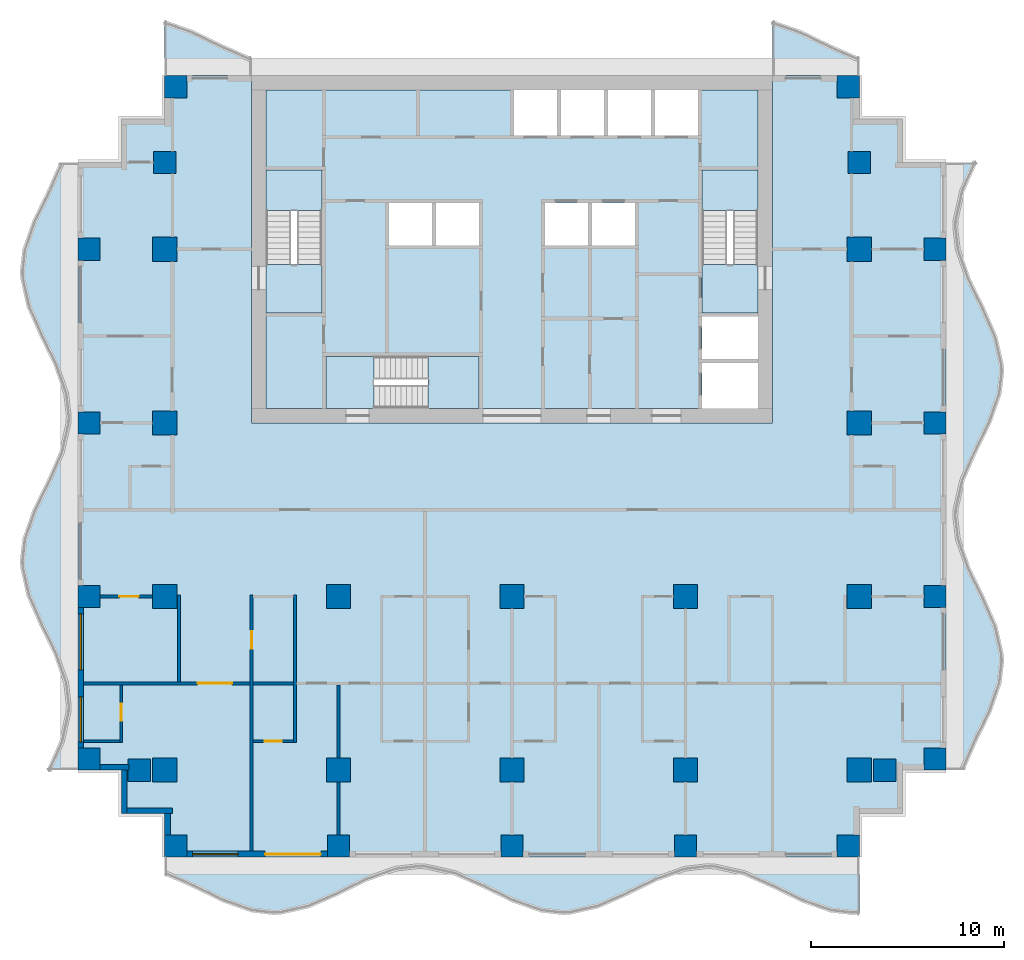
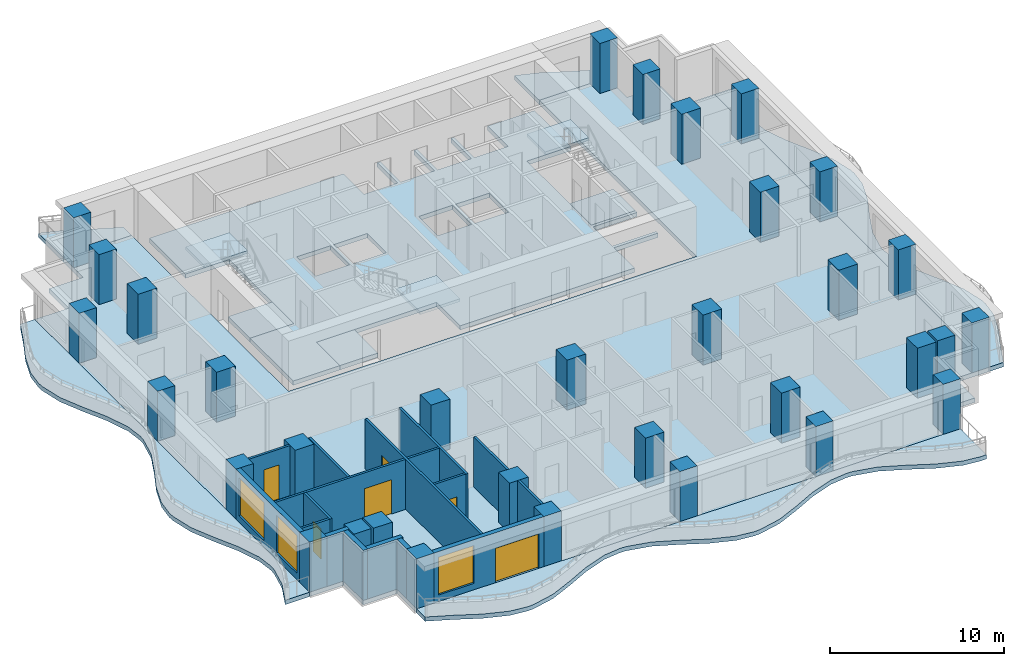
# One storey, part 1 of 10: 33 columns, 17 walls, 13 slabs, 6 doors, 3 windows, 9 openings, 3 elements without a shape of their own.
"""IFC4 building model written with IfcOpenShell, lengths in metres."""

from ifc_helpers import new_model, si_unit, direction, frame, frame_2d, origin, origin_2d, place, context, subcontext, project, spatial, polyline, rectangle, outline, extrude, material, layer, layer_set, material_profile, profile_set, type_object, element, fill, aggregate, save


model = new_model("IFC4")

# Units and contexts
model_context = context("Model", 3, precision=1e-05, world=origin(), true_north=direction((0.0, 1.0)))
body_context = subcontext(model_context, "Body", "Model", "MODEL_VIEW")
ifc_project = project(units=[si_unit("LENGTHUNIT", "METRE"), si_unit("AREAUNIT", "SQUARE_METRE"), si_unit("VOLUMEUNIT", "CUBIC_METRE"), si_unit("PLANEANGLEUNIT", "RADIAN"), si_unit("MASSUNIT", "GRAM", prefix="KILO")], contexts=[model_context])

# Site, building, storey
site_placement = place(None, origin())
site = spatial("IfcSite", under=ifc_project, at=site_placement, CompositionType="ELEMENT")
building_placement = place(site_placement, origin())
building = spatial("IfcBuilding", under=site, at=building_placement, Name="Orbiselva Terraces", CompositionType="ELEMENT")
storey_placement = place(building_placement, frame((0.0, 0.0, 140.2)))
storey = spatial("IfcBuildingStorey", under=building, at=storey_placement, Name="L35", CompositionType="ELEMENT", Elevation=140.2)

# Columns
ifc_material_1 = material(Name="Concrete C60/75", Category="concrete")
ifc_material_profile_1 = material_profile(ifc_material_1, rectangle(XDim=1.25, YDim=1.25, at=origin_2d()), Name="RC 1250x1250")
ifc_profile_set_1 = profile_set([ifc_material_profile_1], Name="Concrete C60/75")
column_type_1 = type_object("IfcColumnType", Name="COLUMN RC 1250x1250", PredefinedType="COLUMN", material=ifc_profile_set_1)
for number, where, z_axis, x_axis, name in (
    (1, (-18.0, -13.5, 0.0), (0.0, 0.0, 1.0), (1.0, 0.0, 0.0), "Column L35-01"),
    (2, (-18.0, -4.5, 0.0), (0.0, 0.0, 1.0), (1.0, 0.0, 0.0), "Column L35-03"),
    (3, (-18.0, 13.5, 0.0), (0.0, 0.0, 1.0), (1.0, 0.0, 0.0), "Column L35-04"),
    (4, (-18.0, 4.5, 0.0), (0.0, 0.0, 1.0), (1.0, 0.0, 0.0), "Column L35-06"),
    (5, (-9.0, -13.5, 0.0), (0.0, 0.0, 1.0), (1.0, 0.0, 0.0), "Column L35-13"),
    (6, (-9.0, -4.5, 0.0), (0.0, 0.0, 1.0), (1.0, 0.0, 0.0), "Column L35-15"),
    (7, (0.0, -13.5, 0.0), (0.0, 0.0, 1.0), (1.0, 0.0, 0.0), "Column L35-16"),
    (8, (0.0, -4.5, 0.0), (0.0, 0.0, 1.0), (1.0, 0.0, 0.0), "Column L35-18"),
    (9, (18.0, -13.5, 0.0), (0.0, 0.0, 1.0), (1.0, 0.0, 0.0), "Column L35-19"),
    (10, (18.0, -4.5, 0.0), (0.0, 0.0, 1.0), (1.0, 0.0, 0.0), "Column L35-21"),
    (11, (18.0, 13.5, 0.0), (0.0, 0.0, 1.0), (1.0, 0.0, 0.0), "Column L35-22"),
    (12, (18.0, 4.5, 0.0), (0.0, 0.0, 1.0), (1.0, 0.0, 0.0), "Column L35-24"),
    (13, (9.0, -13.5, 0.0), (0.0, 0.0, 1.0), (1.0, 0.0, 0.0), "Column L35-31"),
    (14, (9.0, -4.5, 0.0), (0.0, 0.0, 1.0), (1.0, 0.0, 0.0), "Column L35-33"),
):
    element("IfcColumn", number, at=place(storey_placement, frame(where, z_axis=z_axis, x_axis=x_axis)), inside=storey, type_object=column_type_1, Name=name, PredefinedType="COLUMN", context=body_context, shape_type="SweptSolid", body=[
        extrude(rectangle(XDim=1.25, YDim=1.25, at=origin_2d()), origin(), (0.0, 0.0, 1.0), 3.5),
    ])
ifc_material_profile_2 = material_profile(ifc_material_1, rectangle(XDim=1.15, YDim=1.15, at=origin_2d()), Name="RC 1150x1150")
ifc_profile_set_2 = profile_set([ifc_material_profile_2], Name="Concrete C60/75")
column_type_2 = type_object("IfcColumnType", Name="PERIMETER COLUMN RC 1150x1150", PredefinedType="COLUMN", material=ifc_profile_set_2)
for number, where, z_axis, x_axis, name in (
    (15, (-17.425, -17.425, 0.0), (0.0, 0.0, 1.0), (1.0, 0.0, 0.0), "Column L35-02"),
    (16, (-17.425, 21.925, 0.0), (0.0, 0.0, 1.0), (1.0, 0.0, 0.0), "Column L35-05"),
    (17, (-21.925, -12.925, 0.0), (0.0, 0.0, 1.0), (1.0, 0.0, 0.0), "Column L35-07"),
    (18, (-19.32, -13.5, 0.0), (0.0, 0.0, 1.0), (1.0, 0.0, 0.0), "Column L35-08"),
    (19, (-21.925, -4.5, 0.0), (0.0, 0.0, 1.0), (1.0, 0.0, 0.0), "Column L35-09"),
    (20, (-21.925, 13.5, 0.0), (0.0, 0.0, 1.0), (1.0, 0.0, 0.0), "Column L35-10"),
    (21, (-18.0, 18.0, 0.0), (0.0, 0.0, 1.0), (1.0, 0.0, 0.0), "Column L35-11"),
    (22, (-21.925, 4.5, 0.0), (0.0, 0.0, 1.0), (1.0, 0.0, 0.0), "Column L35-12"),
    (23, (-9.0, -17.425, 0.0), (0.0, 0.0, 1.0), (1.0, 0.0, 0.0), "Column L35-14"),
    (24, (0.0, -17.425, 0.0), (0.0, 0.0, 1.0), (1.0, 0.0, 0.0), "Column L35-17"),
    (25, (17.425, -17.425, 0.0), (0.0, 0.0, 1.0), (1.0, 0.0, 0.0), "Column L35-20"),
    (26, (17.425, 21.925, 0.0), (0.0, 0.0, 1.0), (1.0, 0.0, 0.0), "Column L35-23"),
    (27, (21.925, -12.925, 0.0), (0.0, 0.0, 1.0), (1.0, 0.0, 0.0), "Column L35-25"),
    (28, (19.32, -13.5, 0.0), (0.0, 0.0, 1.0), (1.0, 0.0, 0.0), "Column L35-26"),
    (29, (21.925, -4.5, 0.0), (0.0, 0.0, 1.0), (1.0, 0.0, 0.0), "Column L35-27"),
    (30, (21.925, 13.5, 0.0), (0.0, 0.0, 1.0), (1.0, 0.0, 0.0), "Column L35-28"),
    (31, (18.0, 18.0, 0.0), (0.0, 0.0, 1.0), (1.0, 0.0, 0.0), "Column L35-29"),
    (32, (21.925, 4.5, 0.0), (0.0, 0.0, 1.0), (1.0, 0.0, 0.0), "Column L35-30"),
    (33, (9.0, -17.425, 0.0), (0.0, 0.0, 1.0), (1.0, 0.0, 0.0), "Column L35-32"),
):
    element("IfcColumn", number, at=place(storey_placement, frame(where, z_axis=z_axis, x_axis=x_axis)), inside=storey, type_object=column_type_2, Name=name, PredefinedType="COLUMN", context=body_context, shape_type="SweptSolid", body=[
        extrude(rectangle(XDim=1.15, YDim=1.15, at=origin_2d()), origin(), (0.0, 0.0, 1.0), 3.5),
    ])

# Slabs
ifc_material_2 = material(Name="Concrete C40/50", Category="concrete")
ifc_layer_1 = layer(ifc_material_2, 0.3)
ifc_layer_set_1 = layer_set([ifc_layer_1], Name="Concrete C40/50")
slab_type_1 = type_object("IfcSlabType", Name="CORE-SLAB-FLOOR-300", PredefinedType="FLOOR", material=ifc_layer_set_1)
slab_1_placement = place(storey_placement, frame((0.0, 0.0, -0.3)))
element("IfcSlab", 34, at=slab_1_placement, inside=storey, type_object=slab_type_1, Name="L35 S1 floor landing", PredefinedType="FLOOR", context=body_context, shape_type="SweptSolid", body=[
    extrude(outline(polyline([(-12.75, 12.7), (-9.85, 12.7), (-9.85, 10.2), (-12.75, 10.2), (-12.75, 12.7)])), origin(), (0.0, 0.0, 1.0), 0.3),
])
slab_2_placement = place(storey_placement, frame((0.0, 0.0, -0.3)))
element("IfcSlab", 35, at=slab_2_placement, inside=storey, type_object=slab_type_1, Name="L35 S2 floor landing", PredefinedType="FLOOR", context=body_context, shape_type="SweptSolid", body=[
    extrude(outline(polyline([(12.75, 12.7), (12.75, 10.2), (9.85, 10.2), (9.85, 12.7), (12.75, 12.7)])), origin(), (0.0, 0.0, 1.0), 0.3),
])
slab_3_placement = place(storey_placement, frame((0.0, 0.0, -0.3)))
element("IfcSlab", 36, at=slab_3_placement, inside=storey, type_object=slab_type_1, Name="L35 S3 floor landing", PredefinedType="FLOOR", context=body_context, shape_type="SweptSolid", body=[
    extrude(outline(polyline([(-7.15, 5.25), (-9.65, 5.25), (-9.65, 7.95), (-7.15, 7.95), (-7.15, 5.25)])), origin(), (0.0, 0.0, 1.0), 0.3),
])
slab_4_placement = place(storey_placement, frame((0.0, 0.0, -0.3)))
element("IfcSlab", 37, at=slab_4_placement, inside=storey, type_object=slab_type_1, Name="L35 core floor slab 1", PredefinedType="FLOOR", context=body_context, shape_type="SweptSolid", body=[
    extrude(outline(polyline([(-1.7, 5.25), (-1.7, 7.95), (-9.65, 7.95), (-9.65, 5.25), (-12.75, 5.25), (-12.75, 10.2), (-9.85, 10.2), (-9.85, 17.6), (-12.75, 17.6), (-12.75, 21.75), (0.1, 21.75), (0.1, 19.4), (2.3375, 19.4), (2.3375, 21.75), (2.5375, 21.75), (2.5375, 19.4), (4.775, 19.4), (4.775, 21.75), (4.975, 21.75), (4.975, 19.4), (7.2125, 19.4), (7.2125, 21.75), (7.4125, 21.75), (7.4125, 19.4), (9.65, 19.4), (9.65, 21.75), (12.75, 21.75), (12.75, 17.6), (9.85, 17.6), (9.85, 10.2), (12.75, 10.2), (12.75, 10.0), (9.85, 10.0), (9.85, 7.8), (12.75, 7.8), (12.75, 7.6), (9.85, 7.6), (9.85, 5.25), (-1.7, 5.25)]), holes=[polyline([(-4.1375, 13.7), (-4.1375, 15.9), (-6.375, 15.9), (-6.375, 13.7), (-4.1375, 13.7)]), polyline([(-1.7, 13.7), (-1.7, 15.9), (-3.9375, 15.9), (-3.9375, 13.7), (-1.7, 13.7)]), polyline([(3.9375, 15.9), (1.7, 15.9), (1.7, 13.7), (3.9375, 13.7), (3.9375, 15.9)]), polyline([(6.375, 13.7), (6.375, 15.9), (4.1375, 15.9), (4.1375, 13.7), (6.375, 13.7)])]), origin(), (0.0, 0.0, 1.0), 0.3),
])

# Stair, slab
stair_type_1 = type_object("IfcStairType", Name="CORE-STAIR-1300", PredefinedType="HALF_TURN_STAIR", material=ifc_material_2)
stair_1_placement = place(storey_placement, origin())
stair_1 = element("IfcStair", 38, at=stair_1_placement, inside=storey, type_object=stair_type_1, Name="L35 Exit Stair S1", PredefinedType="HALF_TURN_STAIR")
ifc_layer_2 = layer(ifc_material_2, 0.2)
ifc_layer_set_2 = layer_set([ifc_layer_2], Name="Concrete C40/50")
slab_type_2 = type_object("IfcSlabType", Name="CORE-STAIR-LANDING-200", PredefinedType="LANDING", material=ifc_layer_set_2)
slab_5_placement = place(storey_placement, frame((0.0, 0.0, 1.7)))
slab_5 = element("IfcSlab", 39, at=slab_5_placement, type_object=slab_type_2, Name="S1 landing 1", PredefinedType="LANDING", context=body_context, shape_type="SweptSolid", body=[
    extrude(outline(polyline([(-9.85, 15.5), (-9.85, 17.6), (-12.75, 17.6), (-12.75, 15.5), (-9.85, 15.5)])), origin(), (0.0, 0.0, 1.0), 0.2),
])
aggregate(stair_1, [slab_5])

stair_2_placement = place(storey_placement, origin())
stair_2 = element("IfcStair", 40, at=stair_2_placement, inside=storey, type_object=stair_type_1, Name="L35 Exit Stair S2", PredefinedType="HALF_TURN_STAIR")
slab_6_placement = place(storey_placement, frame((0.0, 0.0, 1.7)))
slab_6 = element("IfcSlab", 41, at=slab_6_placement, type_object=slab_type_2, Name="S2 landing 1", PredefinedType="LANDING", context=body_context, shape_type="SweptSolid", body=[
    extrude(outline(polyline([(12.75, 15.5), (12.75, 17.6), (9.85, 17.6), (9.85, 15.5), (12.75, 15.5)])), origin(), (0.0, 0.0, 1.0), 0.2),
])
aggregate(stair_2, [slab_6])

stair_type_2 = type_object("IfcStairType", Name="CORE-STAIR-1200", PredefinedType="HALF_TURN_STAIR", material=ifc_material_2)
stair_3_placement = place(storey_placement, origin())
stair_3 = element("IfcStair", 42, at=stair_3_placement, inside=storey, type_object=stair_type_2, Name="L35 Exit Stair S3", PredefinedType="HALF_TURN_STAIR")
slab_7_placement = place(storey_placement, frame((0.0, 0.0, 1.7)))
slab_7 = element("IfcSlab", 43, at=slab_7_placement, type_object=slab_type_2, Name="S3 landing 1", PredefinedType="LANDING", context=body_context, shape_type="SweptSolid", body=[
    extrude(outline(polyline([(-4.35, 5.25), (-1.7, 5.25), (-1.7, 7.95), (-4.35, 7.95), (-4.35, 5.25)])), origin(), (0.0, 0.0, 1.0), 0.2),
])
aggregate(stair_3, [slab_7])

# Slabs
ifc_material_3 = material(Name="Concrete C50/60", Category="concrete")
ifc_layer_3 = layer(ifc_material_3, 0.3)
ifc_layer_set_3 = layer_set([ifc_layer_3], Name="Concrete C50/60")
slab_type_3 = type_object("IfcSlabType", Name="ENV-BALCONY-SLAB-300", PredefinedType="FLOOR", material=ifc_layer_set_3)
slab_8_placement = place(storey_placement, frame((0.0, 0.0, -0.3)))
element("IfcSlab", 44, at=slab_8_placement, inside=storey, type_object=slab_type_3, Name="Balcony slab L35 S", PredefinedType="FLOOR", context=body_context, shape_type="SweptSolid", body=[
    extrude(outline(polyline([(-18.0, -18.951472), (-16.5, -19.612279), (-15.0, -20.344789), (-13.5, -20.869208), (-12.375, -21.0), (-12.0, -20.985226), (-10.5, -20.648528), (-9.0, -19.987721), (-7.5, -19.255211), (-6.0, -18.730792), (-4.875, -18.6), (-4.5, -18.614774), (-3.0, -18.951472), (-1.5, -19.612279), (0.0, -20.344789), (1.5, -20.869208), (2.625, -21.0), (3.0, -20.985226), (4.5, -20.648528), (6.0, -19.987721), (7.5, -19.255211), (9.0, -18.730792), (10.125, -18.6), (10.5, -18.614774), (12.0, -18.951472), (13.5, -19.612279), (15.0, -20.344789), (16.5, -20.869208), (17.625, -21.0), (18.0, -20.985226), (18.0, -18.0), (-18.0, -18.0), (-18.0, -18.951472)])), origin(), (0.0, 0.0, 1.0), 0.3),
])
slab_9_placement = place(storey_placement, frame((0.0, 0.0, -0.3)))
element("IfcSlab", 45, at=slab_9_placement, inside=storey, type_object=slab_type_3, Name="Balcony slab L35 E", PredefinedType="FLOOR", context=body_context, shape_type="SweptSolid", body=[
    extrude(outline(polyline([(23.451472, -13.5), (24.112279, -12.0), (24.844789, -10.5), (25.369208, -9.0), (25.5, -7.875), (25.485226, -7.5), (25.148528, -6.0), (24.487721, -4.5), (23.755211, -3.0), (23.230792, -1.5), (23.1, -0.375), (23.114774, 0.0), (23.451472, 1.5), (24.112279, 3.0), (24.844789, 4.5), (25.369208, 6.0), (25.5, 7.125), (25.485226, 7.5), (25.148528, 9.0), (24.487721, 10.5), (23.755211, 12.0), (23.230792, 13.5), (23.1, 14.625), (23.114774, 15.0), (23.451472, 16.5), (24.112279, 18.0), (22.5, 18.0), (22.5, -13.5), (23.451472, -13.5)])), origin(), (0.0, 0.0, 1.0), 0.3),
])
slab_10_placement = place(storey_placement, frame((0.0, 0.0, -0.3)))
element("IfcSlab", 46, at=slab_10_placement, inside=storey, type_object=slab_type_3, Name="Balcony slab L35 NE", PredefinedType="FLOOR", context=body_context, shape_type="SweptSolid", body=[
    extrude(outline(polyline([(18.0, 23.451472), (16.5, 24.112279), (15.0, 24.844789), (13.5, 25.369208), (13.5, 22.5), (18.0, 22.5), (18.0, 23.451472)])), origin(), (0.0, 0.0, 1.0), 0.3),
])
slab_11_placement = place(storey_placement, frame((0.0, 0.0, -0.3)))
element("IfcSlab", 47, at=slab_11_placement, inside=storey, type_object=slab_type_3, Name="Balcony slab L35 NW", PredefinedType="FLOOR", context=body_context, shape_type="SweptSolid", body=[
    extrude(outline(polyline([(-13.5, 23.451472), (-15.0, 24.112279), (-16.5, 24.844789), (-18.0, 25.369208), (-18.0, 22.5), (-13.5, 22.5), (-13.5, 23.451472)])), origin(), (0.0, 0.0, 1.0), 0.3),
])
slab_12_placement = place(storey_placement, frame((0.0, 0.0, -0.3)))
element("IfcSlab", 48, at=slab_12_placement, inside=storey, type_object=slab_type_3, Name="Balcony slab L35 W", PredefinedType="FLOOR", context=body_context, shape_type="SweptSolid", body=[
    extrude(outline(polyline([(-23.451472, 18.0), (-24.112279, 16.5), (-24.844789, 15.0), (-25.369208, 13.5), (-25.5, 12.375), (-25.485226, 12.0), (-25.148528, 10.5), (-24.487721, 9.0), (-23.755211, 7.5), (-23.230792, 6.0), (-23.1, 4.875), (-23.114774, 4.5), (-23.451472, 3.0), (-24.112279, 1.5), (-24.844789, 0.0), (-25.369208, -1.5), (-25.5, -2.625), (-25.485226, -3.0), (-25.148528, -4.5), (-24.487721, -6.0), (-23.755211, -7.5), (-23.230792, -9.0), (-23.1, -10.125), (-23.114774, -10.5), (-23.451472, -12.0), (-24.112279, -13.5), (-22.5, -13.5), (-22.5, 18.0), (-23.451472, 18.0)])), origin(), (0.0, 0.0, 1.0), 0.3),
])
ifc_layer_4 = layer(ifc_material_3, 0.3)
ifc_layer_set_4 = layer_set([ifc_layer_4], Name="Concrete C50/60")
slab_type_4 = type_object("IfcSlabType", Name="FLOOR SLAB 300", PredefinedType="FLOOR", material=ifc_layer_set_4)
slab_13_placement = place(storey_placement, frame((0.0, 0.0, -0.3)))
element("IfcSlab", 49, at=slab_13_placement, inside=storey, type_object=slab_type_4, Name="Floor slab L35", PredefinedType="FLOOR", context=body_context, shape_type="SweptSolid", body=[
    extrude(outline(polyline([(18.0, 22.5), (18.0, 20.25), (20.25, 20.25), (20.25, 18.0), (22.5, 18.0), (22.5, -13.5), (20.25, -13.5), (20.25, -15.75), (18.0, -15.75), (18.0, -18.0), (-18.0, -18.0), (-18.0, -15.75), (-20.25, -15.75), (-20.25, -13.5), (-22.5, -13.5), (-22.5, 18.0), (-20.25, 18.0), (-20.25, 20.25), (-18.0, 20.25), (-18.0, 22.5), (-13.5, 22.5), (-13.5, 4.5), (13.5, 4.5), (13.5, 22.5), (18.0, 22.5)])), origin(), (0.0, 0.0, 1.0), 0.3),
])

# Wall, openings, door, window
ifc_material_4 = material(Name="Terracotta cladding on masonry backing", Category="masonry")
ifc_layer_5 = layer(ifc_material_4, 0.3)
ifc_layer_set_5 = layer_set([ifc_layer_5], Name="Terracotta cladding on masonry backing")
wall_type_1 = type_object("IfcWallType", Name="ENV-WALL-TERRACOTTA-300", PredefinedType="SOLIDWALL", material=ifc_layer_set_5)
wall_1_placement = place(storey_placement, frame((-9.575, -17.85, 0.0), z_axis=(0.0, 0.0, 1.0), x_axis=(-1.0, 0.0, 0.0)))
wall_1 = element("IfcWall", 50, at=wall_1_placement, inside=storey, type_object=wall_type_1, Name="Facade wall L35 S", PredefinedType="SOLIDWALL", context=body_context, shape_type="SweptSolid", body=[
    extrude(rectangle(XDim=7.275, YDim=0.3, at=frame_2d((3.6375, 0.0))), origin(), (0.0, 0.0, 1.0), 3.5),
])
opening_1_placement = place(wall_1_placement, frame((4.625, 0.0, 0.45)))
opening_1 = element("IfcOpeningElement", 51, at=opening_1_placement, cuts=wall_1, Name="Opening WN10", PredefinedType="OPENING", context=body_context, shape_type="SweptSolid", body=[
    extrude(rectangle(XDim=2.35, YDim=2.65, at=frame_2d((1.175, 1.325))), frame((0.0, 0.16, 0.0), z_axis=(0.0, -1.0, 0.0), x_axis=(1.0, 0.0, 0.0)), (0.0, 0.0, 1.0), 0.32),
])
opening_2_placement = place(wall_1_placement, frame((0.325, 0.0, 0.0)))
opening_2 = element("IfcOpeningElement", 52, at=opening_2_placement, cuts=wall_1, Name="Opening Z3-B-E01", PredefinedType="OPENING", context=body_context, shape_type="SweptSolid", body=[
    extrude(rectangle(XDim=2.9, YDim=2.4, at=frame_2d((1.45, 1.2))), frame((0.0, 0.16, 0.0), z_axis=(0.0, -1.0, 0.0), x_axis=(1.0, 0.0, 0.0)), (0.0, 0.0, 1.0), 0.32),
])
ifc_material_5 = material(Name="Clear low-e glazing in aluminium frame", Category="aluminium")
door_type_1 = type_object("IfcDoorType", Name="BALCONY DOOR 2900 X 2400", OperationType="DOUBLE_DOOR_SLIDING", PredefinedType="DOOR", material=ifc_material_5)
door_1_placement = place(opening_2_placement, origin())
door_1 = element("IfcDoor", 53, at=door_1_placement, inside=storey, type_object=door_type_1, Name="Z3-B-E01", OperationType="SINGLE_SWING_LEFT", OverallHeight=2.4, OverallWidth=2.9, PredefinedType="DOOR", context=body_context, shape_type="SweptSolid", body=[
    extrude(rectangle(XDim=2.9, YDim=2.4, at=frame_2d((1.45, 1.2))), frame((0.0, 0.025, 0.0), z_axis=(0.0, -1.0, 0.0), x_axis=(1.0, 0.0, 0.0)), (0.0, 0.0, 1.0), 0.05),
])
fill(opening_2, door_1)
window_type_1 = type_object("IfcWindowType", Name="WINDOW 2350 X 2650 S450", PartitioningType="TRIPLE_PANEL_VERTICAL", PredefinedType="WINDOW", material=ifc_material_5)
window_1_placement = place(opening_1_placement, origin())
window_1 = element("IfcWindow", 54, at=window_1_placement, inside=storey, type_object=window_type_1, Name="Window L35 S", OverallHeight=2.65, OverallWidth=2.35, PartitioningType="SINGLE_PANEL", PredefinedType="WINDOW", context=body_context, shape_type="SweptSolid", body=[
    extrude(rectangle(XDim=2.35, YDim=2.65, at=frame_2d((1.175, 1.325))), frame((0.0, 0.03, 0.0), z_axis=(0.0, -1.0, 0.0), x_axis=(1.0, 0.0, 0.0)), (0.0, 0.0, 1.0), 0.06),
])
fill(opening_1, window_1)

# Wall, openings, windows
wall_2_placement = place(storey_placement, frame((-22.35, -12.35, 0.0), z_axis=(0.0, 0.0, 1.0), x_axis=(0.0, 1.0, 0.0)))
wall_2 = element("IfcWall", 55, at=wall_2_placement, inside=storey, type_object=wall_type_1, Name="Facade wall L35 W", PredefinedType="SOLIDWALL", context=body_context, shape_type="SweptSolid", body=[
    extrude(rectangle(XDim=7.275, YDim=0.3, at=frame_2d((3.6375, 0.0))), origin(), (0.0, 0.0, 1.0), 3.5),
])
opening_3_placement = place(wall_2_placement, frame((4.05, 0.0, 0.45)))
opening_3 = element("IfcOpeningElement", 56, at=opening_3_placement, cuts=wall_2, Name="Opening WN8", PredefinedType="OPENING", context=body_context, shape_type="SweptSolid", body=[
    extrude(rectangle(XDim=2.9, YDim=2.65, at=frame_2d((1.45, 1.325))), frame((0.0, 0.16, 0.0), z_axis=(0.0, -1.0, 0.0), x_axis=(1.0, 0.0, 0.0)), (0.0, 0.0, 1.0), 0.32),
])
opening_4_placement = place(wall_2_placement, frame((0.3, 0.0, 0.45)))
opening_4 = element("IfcOpeningElement", 57, at=opening_4_placement, cuts=wall_2, Name="Opening WN10", PredefinedType="OPENING", context=body_context, shape_type="SweptSolid", body=[
    extrude(rectangle(XDim=2.35, YDim=2.65, at=frame_2d((1.175, 1.325))), frame((0.0, 0.16, 0.0), z_axis=(0.0, -1.0, 0.0), x_axis=(1.0, 0.0, 0.0)), (0.0, 0.0, 1.0), 0.32),
])
window_2_placement = place(opening_4_placement, origin())
window_2 = element("IfcWindow", 58, at=window_2_placement, inside=storey, type_object=window_type_1, Name="Window L35 W", OverallHeight=2.65, OverallWidth=2.35, PartitioningType="SINGLE_PANEL", PredefinedType="WINDOW", context=body_context, shape_type="SweptSolid", body=[
    extrude(rectangle(XDim=2.35, YDim=2.65, at=frame_2d((1.175, 1.325))), frame((0.0, 0.03, 0.0), z_axis=(0.0, -1.0, 0.0), x_axis=(1.0, 0.0, 0.0)), (0.0, 0.0, 1.0), 0.06),
])
fill(opening_4, window_2)
window_type_2 = type_object("IfcWindowType", Name="WINDOW 2900 X 2650 S450", PartitioningType="TRIPLE_PANEL_VERTICAL", PredefinedType="WINDOW", material=ifc_material_5)
window_3_placement = place(opening_3_placement, origin())
window_3 = element("IfcWindow", 59, at=window_3_placement, inside=storey, type_object=window_type_2, Name="Window L35 W", OverallHeight=2.65, OverallWidth=2.9, PartitioningType="SINGLE_PANEL", PredefinedType="WINDOW", context=body_context, shape_type="SweptSolid", body=[
    extrude(rectangle(XDim=2.9, YDim=2.65, at=frame_2d((1.45, 1.325))), frame((0.0, 0.03, 0.0), z_axis=(0.0, -1.0, 0.0), x_axis=(1.0, 0.0, 0.0)), (0.0, 0.0, 1.0), 0.06),
])
fill(opening_3, window_3)

# Walls
wall_3_placement = place(storey_placement, frame((-19.85, -13.35, 0.0), z_axis=(0.0, 0.0, 1.0), x_axis=(-1.0, 0.0, 0.0)))
element("IfcWall", 60, at=wall_3_placement, inside=storey, type_object=wall_type_1, Name="Facade wall L35 STEP", PredefinedType="SOLIDWALL", context=body_context, shape_type="SweptSolid", body=[
    extrude(rectangle(XDim=1.5, YDim=0.3, at=frame_2d((0.75, 0.0))), origin(), (0.0, 0.0, 1.0), 3.5),
])
wall_4_placement = place(storey_placement, frame((-20.1, -15.75, 0.0), z_axis=(0.0, 0.0, 1.0), x_axis=(0.0, 1.0, 0.0)))
element("IfcWall", 61, at=wall_4_placement, inside=storey, type_object=wall_type_1, Name="Facade wall L35 STEP", PredefinedType="SOLIDWALL", context=body_context, shape_type="SweptSolid", body=[
    extrude(rectangle(XDim=2.25, YDim=0.3, at=frame_2d((1.125, 0.0))), origin(), (0.0, 0.0, 1.0), 3.5),
])
wall_5_placement = place(storey_placement, frame((-17.6, -15.6, 0.0), z_axis=(0.0, 0.0, 1.0), x_axis=(-1.0, 0.0, 0.0)))
element("IfcWall", 62, at=wall_5_placement, inside=storey, type_object=wall_type_1, Name="Facade wall L35 STEP", PredefinedType="SOLIDWALL", context=body_context, shape_type="SweptSolid", body=[
    extrude(rectangle(XDim=2.35, YDim=0.3, at=frame_2d((1.175, 0.0))), origin(), (0.0, 0.0, 1.0), 3.5),
])
wall_6_placement = place(storey_placement, frame((-17.85, -16.85, 0.0), z_axis=(0.0, 0.0, 1.0), x_axis=(0.0, 1.0, 0.0)))
element("IfcWall", 63, at=wall_6_placement, inside=storey, type_object=wall_type_1, Name="Facade wall L35 STEP", PredefinedType="SOLIDWALL", context=body_context, shape_type="SweptSolid", body=[
    extrude(rectangle(XDim=1.1, YDim=0.3, at=frame_2d((0.55, 0.0))), origin(), (0.0, 0.0, 1.0), 3.5),
])
ifc_material_6 = material(Name="Plasterboard on steel stud partition", Category="steel")
ifc_layer_6 = layer(ifc_material_6, 0.15)
ifc_layer_set_6 = layer_set([ifc_layer_6], Name="Plasterboard on steel stud partition")
wall_type_2 = type_object("IfcWallType", Name="UNIT-PARTITION-150", PredefinedType="PARTITIONING", material=ifc_layer_set_6)
wall_7_placement = place(storey_placement, frame((-22.2, -12.0, 0.0), z_axis=(0.0, 0.0, 1.0), x_axis=(1.0, 0.0, 0.0)))
element("IfcWall", 64, at=wall_7_placement, inside=storey, type_object=wall_type_2, Name="PARTITION L35-001", PredefinedType="PARTITIONING", context=body_context, shape_type="SweptSolid", body=[
    extrude(rectangle(XDim=1.875, YDim=0.15, at=frame_2d((0.9375, 0.0))), origin(), (0.0, 0.0, 1.0), 3.5),
])

# Wall, opening, door
wall_8_placement = place(storey_placement, frame((-13.425, -12.0, 0.0), z_axis=(0.0, 0.0, 1.0), x_axis=(1.0, 0.0, 0.0)))
wall_8 = element("IfcWall", 65, at=wall_8_placement, inside=storey, type_object=wall_type_2, Name="PARTITION L35-002", PredefinedType="PARTITIONING", context=body_context, shape_type="SweptSolid", body=[
    extrude(rectangle(XDim=2.1, YDim=0.15, at=frame_2d((1.05, 0.0))), origin(), (0.0, 0.0, 1.0), 3.5),
])
opening_5_placement = place(wall_8_placement, frame((0.6, 0.0, 0.0)))
opening_5 = element("IfcOpeningElement", 66, at=opening_5_placement, cuts=wall_8, Name="Opening Z3-B-20", PredefinedType="OPENING", context=body_context, shape_type="SweptSolid", body=[
    extrude(rectangle(XDim=0.9, YDim=2.1, at=frame_2d((0.45, 1.05))), frame((0.0, 0.085, 0.0), z_axis=(0.0, -1.0, 0.0), x_axis=(1.0, 0.0, 0.0)), (0.0, 0.0, 1.0), 0.17),
])
ifc_material_7 = material(Name="Painted timber door leaf", Category="wood")
door_type_2 = type_object("IfcDoorType", Name="BATH DOOR 900", OperationType="NOTDEFINED", PredefinedType="DOOR", material=ifc_material_7)
door_2_placement = place(opening_5_placement, origin())
door_2 = element("IfcDoor", 67, at=door_2_placement, inside=storey, type_object=door_type_2, Name="Z3-B-20", OperationType="SINGLE_SWING_LEFT", OverallHeight=2.1, OverallWidth=0.9, PredefinedType="DOOR", context=body_context, shape_type="SweptSolid", body=[
    extrude(rectangle(XDim=0.9, YDim=2.1, at=frame_2d((0.45, 1.05))), frame((0.0, 0.025, 0.0), z_axis=(0.0, -1.0, 0.0), x_axis=(1.0, 0.0, 0.0)), (0.0, 0.0, 1.0), 0.05),
])
fill(opening_5, door_2)

wall_9_placement = place(storey_placement, frame((-13.575, -9.0, 0.0), z_axis=(0.0, 0.0, 1.0), x_axis=(-1.0, 0.0, 0.0)))
wall_9 = element("IfcWall", 68, at=wall_9_placement, inside=storey, type_object=wall_type_2, Name="PARTITION L35-008", PredefinedType="PARTITIONING", context=body_context, shape_type="SweptSolid", body=[
    extrude(rectangle(XDim=8.625, YDim=0.15, at=frame_2d((4.3125, 0.0))), origin(), (0.0, 0.0, 1.0), 3.5),
])
opening_6_placement = place(wall_9_placement, frame((0.925, 0.0, 0.0)))
opening_6 = element("IfcOpeningElement", 69, at=opening_6_placement, cuts=wall_9, Name="Opening Z3-B-17", PredefinedType="OPENING", context=body_context, shape_type="SweptSolid", body=[
    extrude(rectangle(XDim=1.8, YDim=2.4, at=frame_2d((0.9, 1.2))), frame((0.0, 0.085, 0.0), z_axis=(0.0, -1.0, 0.0), x_axis=(1.0, 0.0, 0.0)), (0.0, 0.0, 1.0), 0.17),
])
door_type_3 = type_object("IfcDoorType", Name="DOUBLE DOOR 1800", OperationType="NOTDEFINED", PredefinedType="DOOR", material=ifc_material_7)
door_3_placement = place(opening_6_placement, origin())
door_3 = element("IfcDoor", 70, at=door_3_placement, inside=storey, type_object=door_type_3, Name="Z3-B-17", OperationType="DOUBLE_DOOR_SINGLE_SWING", OverallHeight=2.4, OverallWidth=1.8, PredefinedType="DOOR", context=body_context, shape_type="SweptSolid", body=[
    extrude(rectangle(XDim=1.8, YDim=2.4, at=frame_2d((0.9, 1.2))), frame((0.0, 0.025, 0.0), z_axis=(0.0, -1.0, 0.0), x_axis=(1.0, 0.0, 0.0)), (0.0, 0.0, 1.0), 0.05),
])
fill(opening_6, door_3)

# Wall
wall_10_placement = place(storey_placement, frame((-13.425, -9.0, 0.0), z_axis=(0.0, 0.0, 1.0), x_axis=(1.0, 0.0, 0.0)))
element("IfcWall", 71, at=wall_10_placement, inside=storey, type_object=wall_type_2, Name="PARTITION L35-009", PredefinedType="PARTITIONING", context=body_context, shape_type="SweptSolid", body=[
    extrude(rectangle(XDim=2.1, YDim=0.15, at=frame_2d((1.05, 0.0))), origin(), (0.0, 0.0, 1.0), 3.5),
])

# Wall, opening, door
wall_11_placement = place(storey_placement, frame((-18.625, -4.5, 0.0), z_axis=(0.0, 0.0, 1.0), x_axis=(-1.0, 0.0, 0.0)))
wall_11 = element("IfcWall", 72, at=wall_11_placement, inside=storey, type_object=wall_type_2, Name="PARTITION L35-019", PredefinedType="PARTITIONING", context=body_context, shape_type="SweptSolid", body=[
    extrude(rectangle(XDim=2.725, YDim=0.15, at=frame_2d((1.3625, 0.0))), origin(), (0.0, 0.0, 1.0), 3.5),
])
opening_7_placement = place(wall_11_placement, frame((0.725, 0.0, 0.0)))
opening_7 = element("IfcOpeningElement", 73, at=opening_7_placement, cuts=wall_11, Name="Opening Z3-B-14", PredefinedType="OPENING", context=body_context, shape_type="SweptSolid", body=[
    extrude(rectangle(XDim=1.0, YDim=2.4, at=frame_2d((0.5, 1.2))), frame((0.0, 0.085, 0.0), z_axis=(0.0, -1.0, 0.0), x_axis=(1.0, 0.0, 0.0)), (0.0, 0.0, 1.0), 0.17),
])
door_type_4 = type_object("IfcDoorType", Name="ROOM DOOR 1000", OperationType="NOTDEFINED", PredefinedType="DOOR", material=ifc_material_7)
door_4_placement = place(opening_7_placement, origin())
door_4 = element("IfcDoor", 74, at=door_4_placement, inside=storey, type_object=door_type_4, Name="Z3-B-14", OperationType="SINGLE_SWING_LEFT", OverallHeight=2.4, OverallWidth=1.0, PredefinedType="DOOR", context=body_context, shape_type="SweptSolid", body=[
    extrude(rectangle(XDim=1.0, YDim=2.4, at=frame_2d((0.5, 1.2))), frame((0.0, 0.025, 0.0), z_axis=(0.0, -1.0, 0.0), x_axis=(1.0, 0.0, 0.0)), (0.0, 0.0, 1.0), 0.05),
])
fill(opening_7, door_4)

wall_12_placement = place(storey_placement, frame((-20.25, -12.075, 0.0), z_axis=(0.0, 0.0, 1.0), x_axis=(0.0, 1.0, 0.0)))
wall_12 = element("IfcWall", 75, at=wall_12_placement, inside=storey, type_object=wall_type_2, Name="PARTITION L35-040", PredefinedType="PARTITIONING", context=body_context, shape_type="SweptSolid", body=[
    extrude(rectangle(XDim=3.0, YDim=0.15, at=frame_2d((1.5, 0.0))), origin(), (0.0, 0.0, 1.0), 3.5),
])
opening_8_placement = place(wall_12_placement, frame((1.125, 0.0, 0.0)))
opening_8 = element("IfcOpeningElement", 76, at=opening_8_placement, cuts=wall_12, Name="Opening Z3-B-18", PredefinedType="OPENING", context=body_context, shape_type="SweptSolid", body=[
    extrude(rectangle(XDim=0.9, YDim=2.1, at=frame_2d((0.45, 1.05))), frame((0.0, 0.085, 0.0), z_axis=(0.0, -1.0, 0.0), x_axis=(1.0, 0.0, 0.0)), (0.0, 0.0, 1.0), 0.17),
])
door_5_placement = place(opening_8_placement, origin())
door_5 = element("IfcDoor", 77, at=door_5_placement, inside=storey, type_object=door_type_2, Name="Z3-B-18", OperationType="SINGLE_SWING_RIGHT", OverallHeight=2.1, OverallWidth=0.9, PredefinedType="DOOR", context=body_context, shape_type="SweptSolid", body=[
    extrude(rectangle(XDim=0.9, YDim=2.1, at=frame_2d((0.45, 1.05))), frame((0.0, 0.025, 0.0), z_axis=(0.0, -1.0, 0.0), x_axis=(1.0, 0.0, 0.0)), (0.0, 0.0, 1.0), 0.05),
])
fill(opening_8, door_5)

# Wall
wall_13_placement = place(storey_placement, frame((-17.25, -8.925, 0.0), z_axis=(0.0, 0.0, 1.0), x_axis=(0.0, 1.0, 0.0)))
element("IfcWall", 78, at=wall_13_placement, inside=storey, type_object=wall_type_2, Name="PARTITION L35-046", PredefinedType="PARTITIONING", context=body_context, shape_type="SweptSolid", body=[
    extrude(rectangle(XDim=4.5, YDim=0.15, at=frame_2d((2.25, 0.0))), origin(), (0.0, 0.0, 1.0), 3.5),
])

# Wall, opening, door
wall_14_placement = place(storey_placement, frame((-13.5, -4.425, 0.0), z_axis=(0.0, 0.0, 1.0), x_axis=(0.0, -1.0, 0.0)))
wall_14 = element("IfcWall", 79, at=wall_14_placement, inside=storey, type_object=wall_type_2, Name="PARTITION L35-047", PredefinedType="PARTITIONING", context=body_context, shape_type="SweptSolid", body=[
    extrude(rectangle(XDim=13.275, YDim=0.15, at=frame_2d((6.6375, 0.0))), origin(), (0.0, 0.0, 1.0), 3.5),
])
opening_9_placement = place(wall_14_placement, frame((1.875, 0.0, 0.0)))
opening_9 = element("IfcOpeningElement", 80, at=opening_9_placement, cuts=wall_14, Name="Opening Z3-B-15", PredefinedType="OPENING", context=body_context, shape_type="SweptSolid", body=[
    extrude(rectangle(XDim=0.9, YDim=2.1, at=frame_2d((0.45, 1.05))), frame((0.0, 0.085, 0.0), z_axis=(0.0, -1.0, 0.0), x_axis=(1.0, 0.0, 0.0)), (0.0, 0.0, 1.0), 0.17),
])
door_6_placement = place(opening_9_placement, origin())
door_6 = element("IfcDoor", 81, at=door_6_placement, inside=storey, type_object=door_type_2, Name="Z3-B-15", OperationType="SINGLE_SWING_LEFT", OverallHeight=2.1, OverallWidth=0.9, PredefinedType="DOOR", context=body_context, shape_type="SweptSolid", body=[
    extrude(rectangle(XDim=0.9, YDim=2.1, at=frame_2d((0.45, 1.05))), frame((0.0, 0.025, 0.0), z_axis=(0.0, -1.0, 0.0), x_axis=(1.0, 0.0, 0.0)), (0.0, 0.0, 1.0), 0.05),
])
fill(opening_9, door_6)

# Walls
wall_15_placement = place(storey_placement, frame((-11.25, -12.075, 0.0), z_axis=(0.0, 0.0, 1.0), x_axis=(0.0, 1.0, 0.0)))
element("IfcWall", 82, at=wall_15_placement, inside=storey, type_object=wall_type_2, Name="PARTITION L35-048", PredefinedType="PARTITIONING", context=body_context, shape_type="SweptSolid", body=[
    extrude(rectangle(XDim=7.65, YDim=0.15, at=frame_2d((3.825, 0.0))), origin(), (0.0, 0.0, 1.0), 3.5),
])
wall_16_placement = place(storey_placement, frame((-9.0, -16.85, 0.0), z_axis=(0.0, 0.0, 1.0), x_axis=(0.0, 1.0, 0.0)))
element("IfcWall", 83, at=wall_16_placement, inside=storey, type_object=wall_type_2, Name="PARTITION L35-049", PredefinedType="PARTITIONING", context=body_context, shape_type="SweptSolid", body=[
    extrude(rectangle(XDim=2.725, YDim=0.15, at=frame_2d((1.3625, 0.0))), origin(), (0.0, 0.0, 1.0), 3.5),
])
wall_17_placement = place(storey_placement, frame((-9.0, -12.875, 0.0), z_axis=(0.0, 0.0, 1.0), x_axis=(0.0, 1.0, 0.0)))
element("IfcWall", 84, at=wall_17_placement, inside=storey, type_object=wall_type_2, Name="PARTITION L35-050", PredefinedType="PARTITIONING", context=body_context, shape_type="SweptSolid", body=[
    extrude(rectangle(XDim=3.8, YDim=0.15, at=frame_2d((1.9, 0.0))), origin(), (0.0, 0.0, 1.0), 3.5),
])

save(model, "model.ifc")
